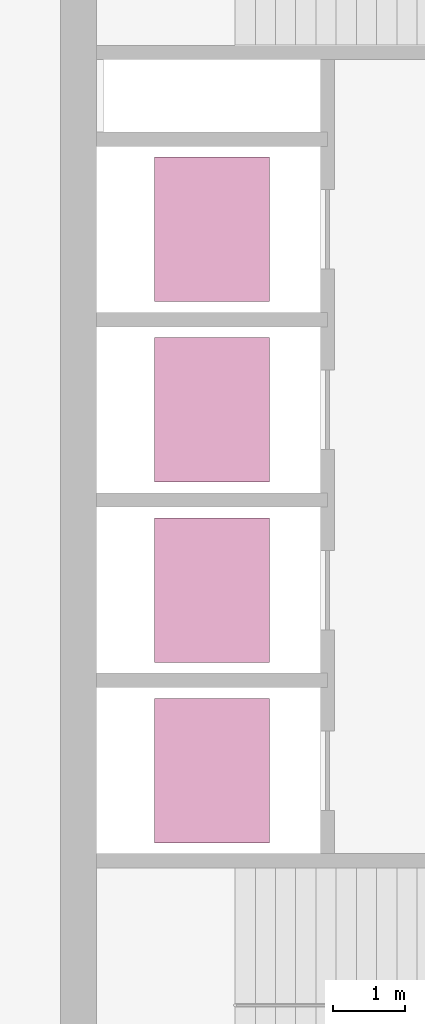
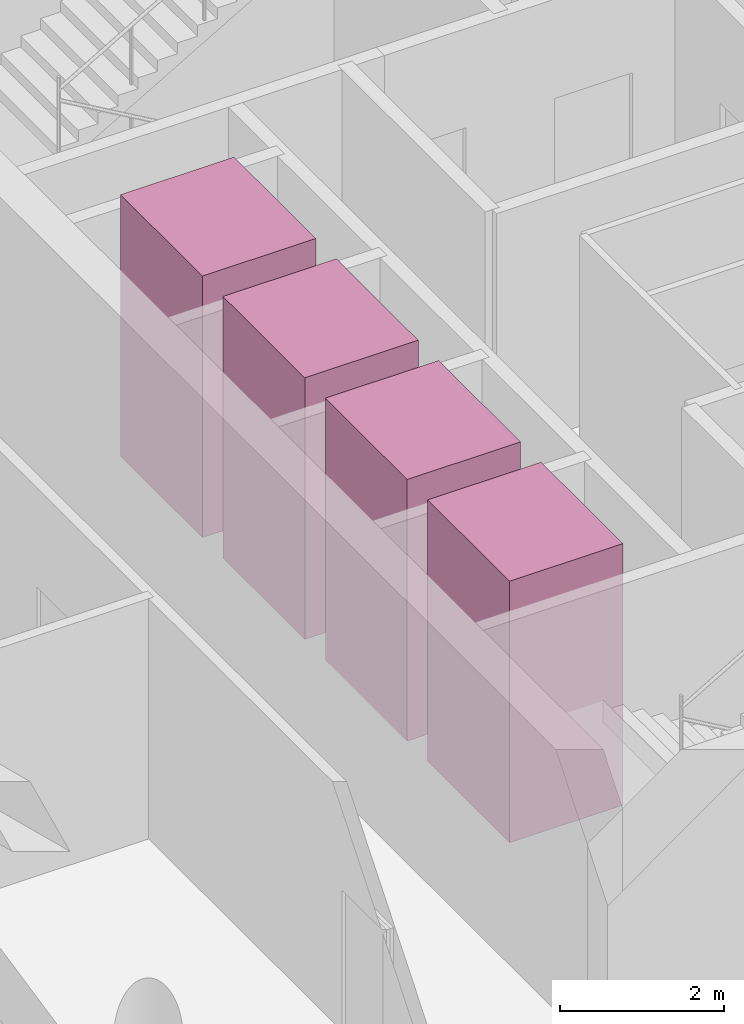
# One storey, part 8 of 8: 4 transport elements.
"""IFC4 building model written with IfcOpenShell, lengths in metres."""

from ifc_helpers import new_model, si_unit, direction, frame, origin, origin_2d, place, context, subcontext, project, spatial, rectangle, extrude, material, type_object, element, save


model = new_model("IFC4")

# Units and contexts
model_context = context("Model", 3, precision=1e-05, world=origin(), true_north=direction((0.0, 1.0)))
body_context = subcontext(model_context, "Body", "Model", "MODEL_VIEW")
ifc_project = project(units=[si_unit("LENGTHUNIT", "METRE"), si_unit("AREAUNIT", "SQUARE_METRE"), si_unit("VOLUMEUNIT", "CUBIC_METRE"), si_unit("PLANEANGLEUNIT", "RADIAN"), si_unit("MASSUNIT", "GRAM", prefix="KILO")], contexts=[model_context])

# Site, building, storey
site_placement = place(None, origin())
site = spatial("IfcSite", under=ifc_project, at=site_placement, CompositionType="ELEMENT")
building_placement = place(site_placement, origin())
building = spatial("IfcBuilding", under=site, at=building_placement, Name="Qaws Garden Tower", CompositionType="ELEMENT")
storey_placement = place(building_placement, frame((0.0, 0.0, 278.699951171875)))
storey = spatial("IfcBuildingStorey", under=building, at=storey_placement, Name="L67", CompositionType="ELEMENT", Elevation=278.699951171875)

# Transport elements
ifc_material = material(Name="Stainless steel 316", Category="steel")
transport_element_type = type_object("IfcTransportElementType", Name="Passenger lift car 2000x1600 1800 kg", PredefinedType="ELEVATOR", material=ifc_material)
for number, where, z_axis, x_axis, name in (
    (1, (10.10009765625, 13.64990234375, 0.0), (0.0, 0.0, 1.0), (1.0, 0.0, 0.0), "HR1"),
    (2, (10.10009765625, 16.14990234375, 0.0), (0.0, 0.0, 1.0), (1.0, 0.0, 0.0), "HR2"),
    (3, (10.10009765625, 18.64990234375, 0.0), (0.0, 0.0, 1.0), (1.0, 0.0, 0.0), "HR3"),
    (4, (10.10009765625, 21.14990234375, 0.0), (0.0, 0.0, 1.0), (1.0, 0.0, 0.0), "HR4"),
):
    element("IfcTransportElement", number, at=place(storey_placement, frame(where, z_axis=z_axis, x_axis=x_axis)), inside=storey, type_object=transport_element_type, Name=name, PredefinedType="ELEVATOR", context=body_context, shape_type="SweptSolid", body=[
        extrude(rectangle(XDim=1.60009765625, YDim=2.0, at=origin_2d()), origin(), (0.0, 0.0, 1.0), 3.89990234375),
    ])

save(model, "model.ifc")
